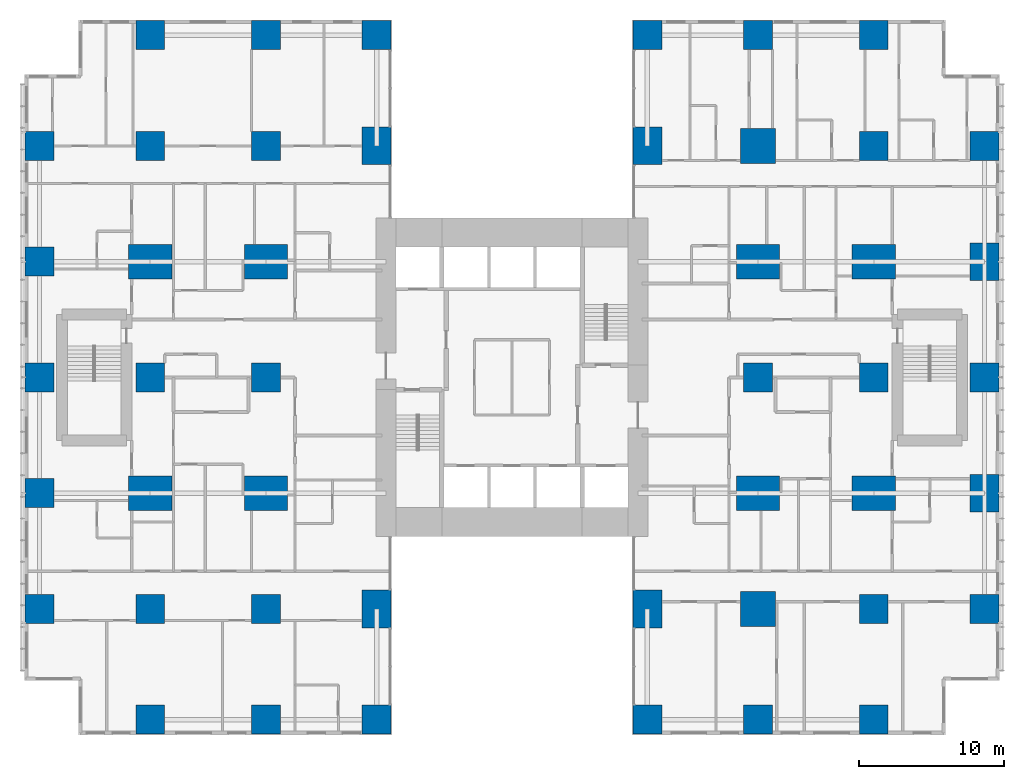
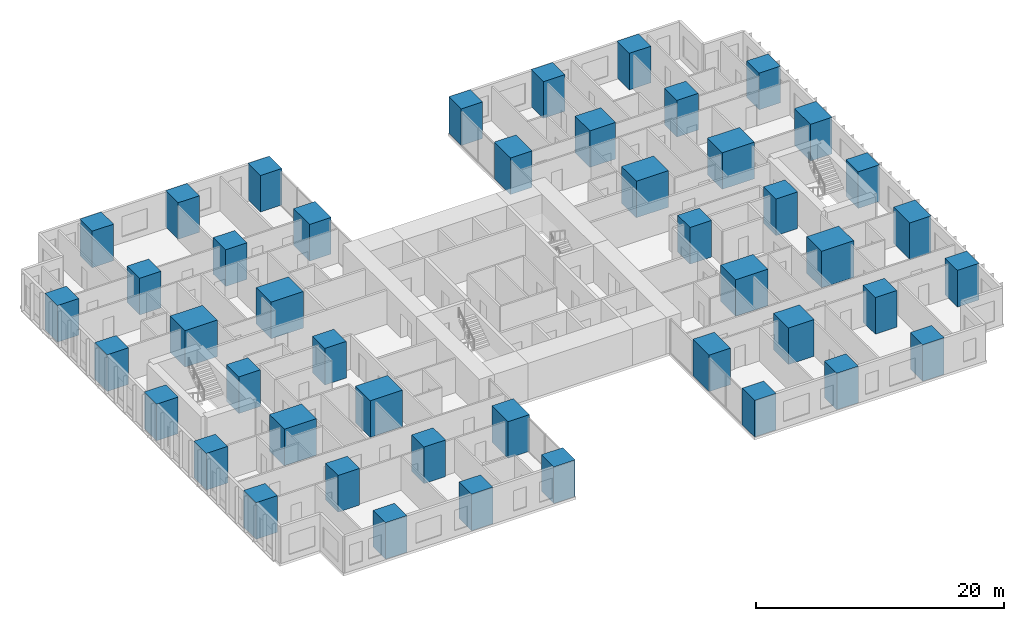
# One storey, part 1 of 21: 46 columns.
"""IFC4 building model written with IfcOpenShell, lengths in metres."""

from ifc_helpers import new_model, si_unit, direction, frame, origin, origin_2d, place, context, subcontext, project, spatial, rectangle, extrude, material, material_profile, profile_set, type_object, element, save


model = new_model("IFC4")

# Units and contexts
model_context = context("Model", 3, precision=1e-05, world=origin(), true_north=direction((0.0, 1.0)))
body_context = subcontext(model_context, "Body", "Model", "MODEL_VIEW")
ifc_project = project(units=[si_unit("LENGTHUNIT", "METRE"), si_unit("AREAUNIT", "SQUARE_METRE"), si_unit("VOLUMEUNIT", "CUBIC_METRE"), si_unit("PLANEANGLEUNIT", "RADIAN"), si_unit("MASSUNIT", "GRAM", prefix="KILO")], contexts=[model_context])

# Site, building, storey
site_placement = place(None, origin())
site = spatial("IfcSite", under=ifc_project, at=site_placement, CompositionType="ELEMENT")
building_placement = place(site_placement, origin())
building = spatial("IfcBuilding", under=site, at=building_placement, Name="Cleftline Residences", CompositionType="ELEMENT")
storey_placement = place(building_placement, frame((0.0, 0.0, 65.60009765625)))
storey = spatial("IfcBuildingStorey", under=building, at=storey_placement, Name="L16", CompositionType="ELEMENT", Elevation=65.60009765625)

# Columns
ifc_material_1 = material(Name="Concrete B70", Category="concrete")
ifc_material_profile_1 = material_profile(ifc_material_1, rectangle(XDim=2.0, YDim=2.0, at=origin_2d()))
ifc_profile_set_1 = profile_set([ifc_material_profile_1], Name="Concrete B70")
column_type_1 = type_object("IfcColumnType", Name="COLUMN RC2000X2000", PredefinedType="COLUMN", material=ifc_profile_set_1)
for number, where, z_axis, x_axis, name in (
    (1, (0.35009765625, 8.0, 0.0), (0.0, 0.0, 1.0), (1.0, 0.0, 0.0), "Column D/3"),
    (2, (0.35009765625, 16.0, 0.0), (0.0, 0.0, 1.0), (1.0, 0.0, 0.0), "Column E/3"),
    (3, (0.35009765625, 24.0, 0.0), (0.0, 0.0, 1.0), (1.0, 0.0, 0.0), "Column F/3"),
    (4, (0.35009765625, 32.0, 0.0), (0.0, 0.0, 1.0), (1.0, 0.0, 0.0), "Column G/3"),
    (5, (0.35009765625, 40.0, 0.0), (0.0, 0.0, 1.0), (1.0, 0.0, 0.0), "Column H/3"),
    (6, (8.0, 0.35009765625, 0.0), (0.0, 0.0, 1.0), (1.0, 0.0, 0.0), "Column C/4"),
    (7, (8.0, 8.0, 0.0), (0.0, 0.0, 1.0), (1.0, 0.0, 0.0), "Column D/4"),
    (8, (8.0, 24.0, 0.0), (0.0, 0.0, 1.0), (1.0, 0.0, 0.0), "Column F/4"),
    (9, (8.0, 40.0, 0.0), (0.0, 0.0, 1.0), (1.0, 0.0, 0.0), "Column H/4"),
    (10, (8.0, 47.64990234375, 0.0), (0.0, 0.0, 1.0), (1.0, 0.0, 0.0), "Column J/4"),
    (11, (16.0, 0.35009765625, 0.0), (0.0, 0.0, 1.0), (1.0, 0.0, 0.0), "Column C/5"),
    (12, (16.0, 8.0, 0.0), (0.0, 0.0, 1.0), (1.0, 0.0, 0.0), "Column D/5"),
    (13, (16.0, 24.0, 0.0), (0.0, 0.0, 1.0), (1.0, 0.0, 0.0), "Column F/5"),
    (14, (16.0, 40.0, 0.0), (0.0, 0.0, 1.0), (1.0, 0.0, 0.0), "Column H/5"),
    (15, (16.0, 47.64990234375, 0.0), (0.0, 0.0, 1.0), (1.0, 0.0, 0.0), "Column J/5"),
    (16, (23.64990234375, 0.35009765625, 0.0), (0.0, 0.0, 1.0), (1.0, 0.0, 0.0), "Column C/6"),
    (17, (23.64990234375, 47.64990234375, 0.0), (0.0, 0.0, 1.0), (1.0, 0.0, 0.0), "Column J/6"),
    (18, (42.35009765625, 0.35009765625, 0.0), (0.0, 0.0, 1.0), (1.0, 0.0, 0.0), "Column C/8"),
    (19, (42.35009765625, 47.64990234375, 0.0), (0.0, 0.0, 1.0), (1.0, 0.0, 0.0), "Column J/8"),
    (20, (50.0, 0.35009765625, 0.0), (0.0, 0.0, 1.0), (1.0, 0.0, 0.0), "Column C/9"),
    (21, (50.0, 24.0, 0.0), (0.0, 0.0, 1.0), (1.0, 0.0, 0.0), "Column F/9"),
    (22, (50.0, 47.64990234375, 0.0), (0.0, 0.0, 1.0), (1.0, 0.0, 0.0), "Column J/9"),
    (23, (58.0, 0.35009765625, 0.0), (0.0, 0.0, 1.0), (1.0, 0.0, 0.0), "Column C/10"),
    (24, (58.0, 8.0, 0.0), (0.0, 0.0, 1.0), (1.0, 0.0, 0.0), "Column D/10"),
    (25, (58.0, 24.0, 0.0), (0.0, 0.0, 1.0), (1.0, 0.0, 0.0), "Column F/10"),
    (26, (58.0, 40.0, 0.0), (0.0, 0.0, 1.0), (1.0, 0.0, 0.0), "Column H/10"),
    (27, (58.0, 47.64990234375, 0.0), (0.0, 0.0, 1.0), (1.0, 0.0, 0.0), "Column J/10"),
    (28, (65.64990234375, 8.0, 0.0), (0.0, 0.0, 1.0), (1.0, 0.0, 0.0), "Column D/11"),
    (29, (65.64990234375, 24.0, 0.0), (0.0, 0.0, 1.0), (1.0, 0.0, 0.0), "Column F/11"),
    (30, (65.64990234375, 40.0, 0.0), (0.0, 0.0, 1.0), (1.0, 0.0, 0.0), "Column H/11"),
):
    element("IfcColumn", number, at=place(storey_placement, frame(where, z_axis=z_axis, x_axis=x_axis)), inside=storey, type_object=column_type_1, Name=name, PredefinedType="COLUMN", context=body_context, shape_type="SweptSolid", body=[
        extrude(rectangle(XDim=2.0, YDim=2.0, at=origin_2d()), origin(), (0.0, 0.0, 1.0), 3.599853515625),
    ])
ifc_material_2 = material(Name="Concrete B70", Category="concrete")
ifc_material_profile_2 = material_profile(ifc_material_2, rectangle(XDim=2.0, YDim=2.60009765625, at=origin_2d()))
ifc_profile_set_2 = profile_set([ifc_material_profile_2], Name="Concrete B70")
column_type_2 = type_object("IfcColumnType", Name="COLUMN RC2000X2600", PredefinedType="COLUMN", material=ifc_profile_set_2)
for number, where, z_axis, x_axis, name in (
    (31, (23.64990234375, 8.0, 0.0), (0.0, 0.0, 1.0), (1.0, 0.0, 0.0), "Column D/6"),
    (32, (23.64990234375, 40.0, 0.0), (0.0, 0.0, 1.0), (1.0, 0.0, 0.0), "Column H/6"),
    (33, (42.35009765625, 8.0, 0.0), (0.0, 0.0, 1.0), (1.0, 0.0, 0.0), "Column D/8"),
    (34, (42.35009765625, 40.0, 0.0), (0.0, 0.0, 1.0), (1.0, 0.0, 0.0), "Column H/8"),
):
    element("IfcColumn", number, at=place(storey_placement, frame(where, z_axis=z_axis, x_axis=x_axis)), inside=storey, type_object=column_type_2, Name=name, PredefinedType="COLUMN", context=body_context, shape_type="SweptSolid", body=[
        extrude(rectangle(XDim=2.0, YDim=2.60009765625, at=origin_2d()), origin(), (0.0, 0.0, 1.0), 3.599853515625),
    ])
ifc_material_3 = material(Name="Concrete B70", Category="concrete")
ifc_material_profile_3 = material_profile(ifc_material_3, rectangle(XDim=2.39990234375, YDim=2.39990234375, at=origin_2d()))
ifc_profile_set_3 = profile_set([ifc_material_profile_3], Name="Concrete B70")
column_type_3 = type_object("IfcColumnType", Name="COLUMN RC2400X2400", PredefinedType="COLUMN", material=ifc_profile_set_3)
for number, where, z_axis, x_axis, name in (
    (35, (50.0, 8.0, 0.0), (0.0, 0.0, 1.0), (1.0, 0.0, 0.0), "Column D/9"),
    (36, (50.0, 40.0, 0.0), (0.0, 0.0, 1.0), (1.0, 0.0, 0.0), "Column H/9"),
):
    element("IfcColumn", number, at=place(storey_placement, frame(where, z_axis=z_axis, x_axis=x_axis)), inside=storey, type_object=column_type_3, Name=name, PredefinedType="COLUMN", context=body_context, shape_type="SweptSolid", body=[
        extrude(rectangle(XDim=2.39990234375, YDim=2.39990234375, at=origin_2d()), origin(), (0.0, 0.0, 1.0), 3.599853515625),
    ])
ifc_material_4 = material(Name="Concrete B70", Category="concrete")
ifc_material_profile_4 = material_profile(ifc_material_4, rectangle(XDim=2.60009765625, YDim=2.0, at=origin_2d()))
ifc_profile_set_4 = profile_set([ifc_material_profile_4], Name="Concrete B70")
column_type_4 = type_object("IfcColumnType", Name="COLUMN RC2600X2000", PredefinedType="COLUMN", material=ifc_profile_set_4)
for number, where, z_axis, x_axis, name in (
    (37, (65.64990234375, 16.0, 0.0), (0.0, 0.0, 1.0), (0.0, 1.0, 0.0), "Column E/11"),
    (38, (65.64990234375, 32.0, 0.0), (0.0, 0.0, 1.0), (0.0, 1.0, 0.0), "Column G/11"),
):
    element("IfcColumn", number, at=place(storey_placement, frame(where, z_axis=z_axis, x_axis=x_axis)), inside=storey, type_object=column_type_4, Name=name, PredefinedType="COLUMN", context=body_context, shape_type="SweptSolid", body=[
        extrude(rectangle(XDim=2.60009765625, YDim=2.0, at=origin_2d()), origin(), (0.0, 0.0, 1.0), 3.599853515625),
    ])
ifc_material_5 = material(Name="Concrete B70", Category="concrete")
ifc_material_profile_5 = material_profile(ifc_material_5, rectangle(XDim=3.0, YDim=2.39990234375, at=origin_2d()))
ifc_profile_set_5 = profile_set([ifc_material_profile_5], Name="Concrete B70")
column_type_5 = type_object("IfcColumnType", Name="COLUMN RC3000X2400", PredefinedType="COLUMN", material=ifc_profile_set_5)
for number, where, z_axis, x_axis, name in (
    (39, (8.0, 16.0, 0.0), (0.0, 0.0, 1.0), (1.0, 0.0, 0.0), "Column E/4"),
    (40, (8.0, 32.0, 0.0), (0.0, 0.0, 1.0), (1.0, 0.0, 0.0), "Column G/4"),
    (41, (16.0, 16.0, 0.0), (0.0, 0.0, 1.0), (1.0, 0.0, 0.0), "Column E/5"),
    (42, (16.0, 32.0, 0.0), (0.0, 0.0, 1.0), (1.0, 0.0, 0.0), "Column G/5"),
    (43, (50.0, 16.0, 0.0), (0.0, 0.0, 1.0), (1.0, 0.0, 0.0), "Column E/9"),
    (44, (50.0, 32.0, 0.0), (0.0, 0.0, 1.0), (1.0, 0.0, 0.0), "Column G/9"),
    (45, (58.0, 16.0, 0.0), (0.0, 0.0, 1.0), (1.0, 0.0, 0.0), "Column E/10"),
    (46, (58.0, 32.0, 0.0), (0.0, 0.0, 1.0), (1.0, 0.0, 0.0), "Column G/10"),
):
    element("IfcColumn", number, at=place(storey_placement, frame(where, z_axis=z_axis, x_axis=x_axis)), inside=storey, type_object=column_type_5, Name=name, PredefinedType="COLUMN", context=body_context, shape_type="SweptSolid", body=[
        extrude(rectangle(XDim=3.0, YDim=2.39990234375, at=origin_2d()), origin(), (0.0, 0.0, 1.0), 3.599853515625),
    ])

save(model, "model.ifc")
